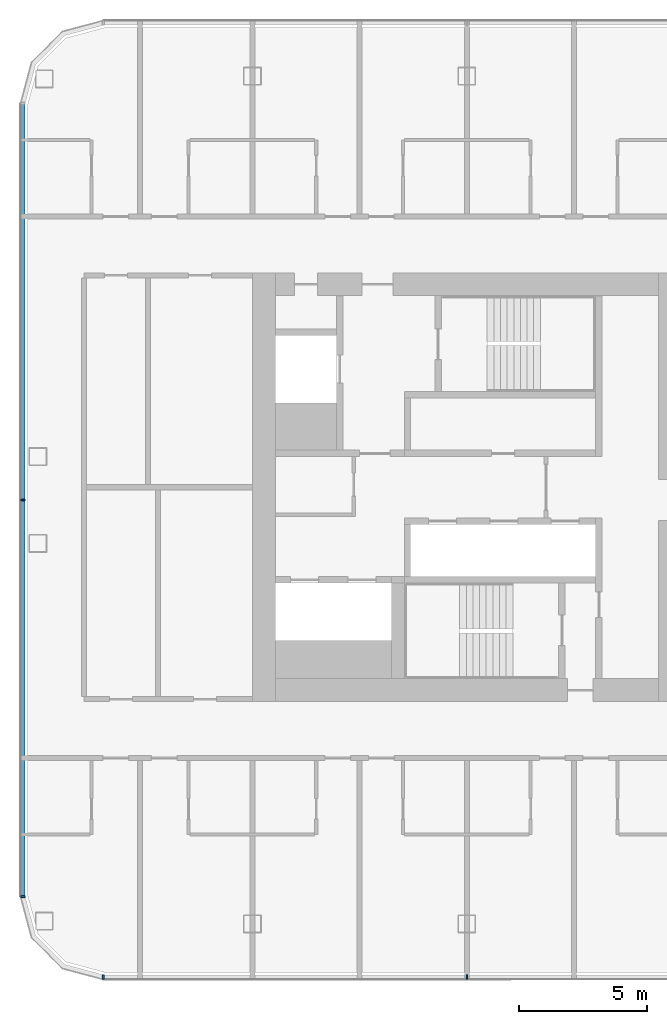
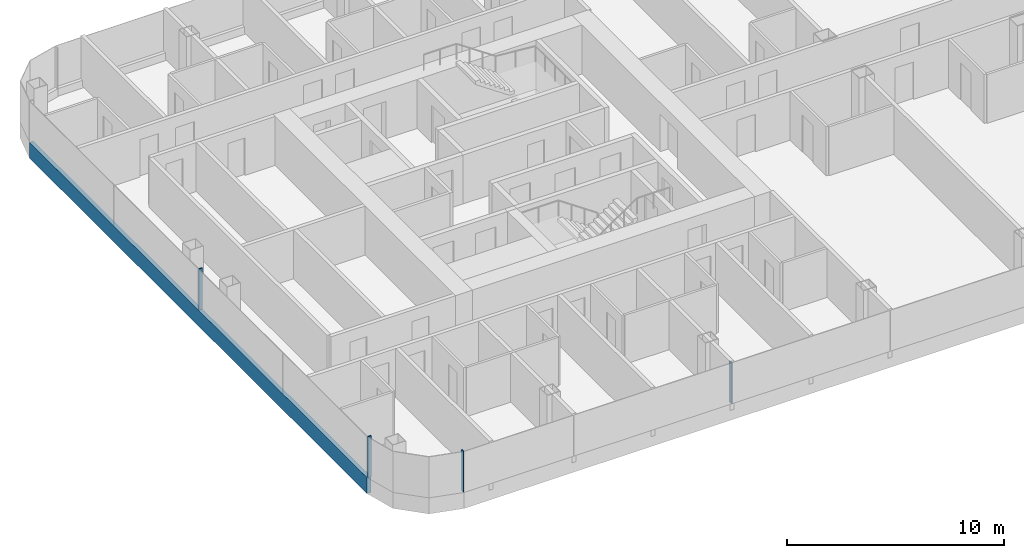
# One storey, part 2 of 26: 5 members, 2 elements without a shape of their own.
"""IFC4 building model written with IfcOpenShell, lengths in metres."""

from ifc_helpers import new_model, si_unit, direction, frame, origin, origin_2d, place, context, subcontext, project, spatial, rectangle, extrude, material, layer, layer_set, material_profile, profile_set, type_object, element, aggregate, save


model = new_model("IFC4")

# Units and contexts
model_context = context("Model", 3, precision=1e-05, world=origin(), true_north=direction((0.0, 1.0)))
body_context = subcontext(model_context, "Body", "Model", "MODEL_VIEW")
ifc_project = project(units=[si_unit("LENGTHUNIT", "METRE"), si_unit("AREAUNIT", "SQUARE_METRE"), si_unit("VOLUMEUNIT", "CUBIC_METRE"), si_unit("PLANEANGLEUNIT", "RADIAN"), si_unit("MASSUNIT", "GRAM", prefix="KILO")], contexts=[model_context])

# Site, building, storey
site_placement = place(None, origin())
site = spatial("IfcSite", under=ifc_project, at=site_placement, CompositionType="ELEMENT")
building_placement = place(site_placement, origin())
building = spatial("IfcBuilding", under=site, at=building_placement, Name="Hakoniwa Tower and Hamabe Station Hall", CompositionType="ELEMENT")
storey_placement = place(building_placement, frame((0.0, 0.0, 134.199951171875)))
storey = spatial("IfcBuildingStorey", under=building, at=storey_placement, Name="L37", CompositionType="ELEMENT", Elevation=134.199951171875)

# Curtain wall, members
ifc_material_1 = material(Name="Dark low-e laminated glass", Category="glass")
ifc_layer = layer(ifc_material_1, 0.199951171875)
ifc_layer_set = layer_set([ifc_layer], Name="CW-1 UNITISED GUEST")
curtain_wall_type = type_object("IfcCurtainWallType", Name="CW-1 UNITISED GUEST", PredefinedType="NOTDEFINED", material=ifc_layer_set)
curtain_wall_1_placement = place(storey_placement, origin())
curtain_wall_1 = element("IfcCurtainWall", 1, at=curtain_wall_1_placement, inside=storey, type_object=curtain_wall_type, Name="CW-1 curtain wall", PredefinedType="NOTDEFINED")
ifc_material_2 = material(Name="Aluminium 6063-T5 black anodised", Category="aluminium")
ifc_material_profile_1 = material_profile(ifc_material_2, rectangle(XDim=0.199951171875, YDim=0.89990234375, at=origin_2d()), Name="CW SLAB-EDGE BAND 900X200")
ifc_profile_set_1 = profile_set([ifc_material_profile_1], Name="Aluminium 6063-T5 black anodised")
member_type_1 = type_object("IfcMemberType", Name="CW SLAB-EDGE BAND 900X200", PredefinedType="USERDEFINED", material=ifc_profile_set_1)
member_1_placement = place(storey_placement, frame((-42.60009765625, 15.03955078125, -0.099853515625), z_axis=(0.0, -1.0, 0.0), x_axis=(1.0, 0.0, 0.0)))
member_1 = element("IfcMember", 2, at=member_1_placement, type_object=member_type_1, Name="CW-1 transom", ObjectType="TRANSOM", PredefinedType="USERDEFINED", context=body_context, shape_type="SweptSolid", body=[
    extrude(rectangle(XDim=0.199951171875, YDim=0.89990234375, at=origin_2d()), origin(), (0.0, 0.0, 1.0), 31.0791015625),
])
ifc_material_3 = material(Name="Aluminium 6063-T5 black anodised", Category="aluminium")
ifc_material_profile_2 = material_profile(ifc_material_3, rectangle(XDim=0.06005859375, YDim=0.179931640625, at=origin_2d()), Name="CW-1 MULLION 60X180")
ifc_profile_set_2 = profile_set([ifc_material_profile_2], Name="Aluminium 6063-T5 black anodised")
member_type_2 = type_object("IfcMemberType", Name="CW-1 MULLION 60X180", PredefinedType="MULLION", material=ifc_profile_set_2)
member_2_placement = place(storey_placement, frame((-42.58203125, -0.5, 0.35009765625), z_axis=(0.0, 0.0, 1.0), x_axis=(0.0, -1.0, 0.0)))
member_2 = element("IfcMember", 3, at=member_2_placement, type_object=member_type_2, Name="CW-1 mullion", PredefinedType="MULLION", context=body_context, shape_type="SweptSolid", body=[
    extrude(rectangle(XDim=0.06005859375, YDim=0.179931640625, at=origin_2d()), origin(), (0.0, 0.0, 1.0), 2.300048828125),
])
member_3_placement = place(storey_placement, frame((-42.58203125, -16.03955078125, 0.35009765625), z_axis=(0.0, 0.0, 1.0), x_axis=(0.0, -1.0, 0.0)))
member_3 = element("IfcMember", 4, at=member_3_placement, type_object=member_type_2, Name="CW-1 mullion", PredefinedType="MULLION", context=body_context, shape_type="SweptSolid", body=[
    extrude(rectangle(XDim=0.06005859375, YDim=0.179931640625, at=origin_2d()), origin(), (0.0, 0.0, 1.0), 2.300048828125),
])
aggregate(curtain_wall_1, [member_2, member_3, member_1])

curtain_wall_2_placement = place(storey_placement, origin())
curtain_wall_2 = element("IfcCurtainWall", 5, at=curtain_wall_2_placement, inside=storey, type_object=curtain_wall_type, Name="CW-1 curtain wall", PredefinedType="NOTDEFINED")
member_4_placement = place(storey_placement, frame((-39.439453125, -19.181884765625, 0.35009765625), z_axis=(0.0, 0.0, 1.0), x_axis=(1.0, 0.0, 0.0)))
member_4 = element("IfcMember", 6, at=member_4_placement, type_object=member_type_2, Name="CW-1 mullion", PredefinedType="MULLION", context=body_context, shape_type="SweptSolid", body=[
    extrude(rectangle(XDim=0.06005859375, YDim=0.179931640625, at=origin_2d()), origin(), (0.0, 0.0, 1.0), 2.300048828125),
])
member_5_placement = place(storey_placement, frame((-25.199951171875, -19.181884765625, 0.35009765625), z_axis=(0.0, 0.0, 1.0), x_axis=(1.0, 0.0, 0.0)))
member_5 = element("IfcMember", 7, at=member_5_placement, type_object=member_type_2, Name="CW-1 mullion", PredefinedType="MULLION", context=body_context, shape_type="SweptSolid", body=[
    extrude(rectangle(XDim=0.06005859375, YDim=0.179931640625, at=origin_2d()), origin(), (0.0, 0.0, 1.0), 2.300048828125),
])
aggregate(curtain_wall_2, [member_4, member_5])

save(model, "model.ifc")
